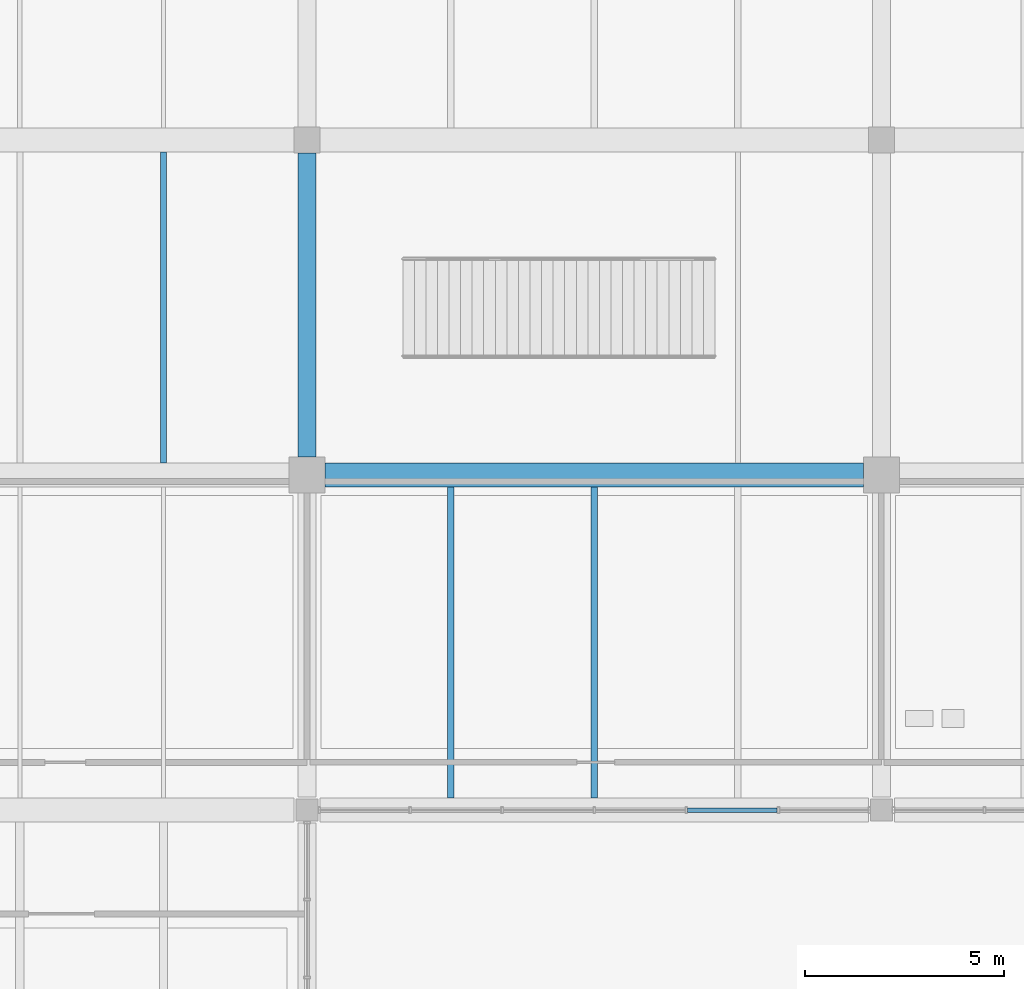
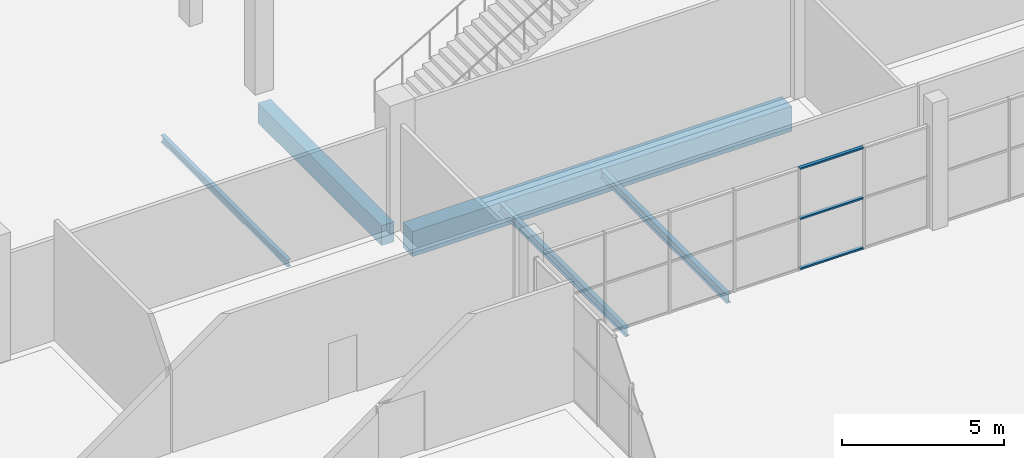
# One storey, part 24 of 130: 5 beams, 3 members, 1 element without a shape of its own.
"""IFC4 building model written with IfcOpenShell, lengths in metres."""

import ifcopenshell
import ifcopenshell.guid

model = None  # the IFC model being written
_history = None  # IfcOwnerHistory: only IFC2X3 demands one
_inside = {}  # id of a spatial element -> (the spatial element, [elements in it])
_under = {}  # id of a project, library or spatial element -> (it, [spatial elements below it])
_declared = {}  # id of a project -> (the project, [libraries it declares])
_typed = {}  # id of a type object -> (the type object, [elements of that type])
_made_of = {}  # id of a material, layer set ... -> (it, [elements and type objects made of it])


def new_model(schema):
    """Start an empty IFC model of exactly this schema.

    Asked for "IFC4X3", IfcOpenShell would pick the latest addendum, in which some entities
    have other attributes; the version numbers below select the first issue.
    IFC2X3 requires an IfcOwnerHistory on every rooted entity: one is made here for all.
    """
    global model, _history
    if schema == "IFC4X3":
        model = ifcopenshell.file(schema_version=(4, 3, 0, 0))
    else:
        model = ifcopenshell.file(schema=schema)
    _inside.clear()
    _under.clear()
    _declared.clear()
    _typed.clear()
    _made_of.clear()
    _history = None
    if model.schema == "IFC2X3":
        org = make("IfcOrganization", Name="unknown")
        user = make(
            "IfcPersonAndOrganization",
            ThePerson=make("IfcPerson", FamilyName="unknown"),
            TheOrganization=org,
        )
        app = make(
            "IfcApplication",
            ApplicationDeveloper=org,
            Version="unknown",
            ApplicationFullName="unknown",
            ApplicationIdentifier="unknown",
        )
        _history = make(
            "IfcOwnerHistory",
            OwningUser=user,
            OwningApplication=app,
            ChangeAction="ADDED",
            CreationDate=0,
        )
    return model


def make(cls, **values):
    """One entity of the class cls with the attributes given. An attribute that is None is left unset."""
    return model.create_entity(
        cls, **{name: value for name, value in values.items() if value is not None}
    )


def rooted(cls, **values):
    """An entity with a GlobalId (a new one), such as an element, a storey or a relation."""
    return make(cls, GlobalId=ifcopenshell.guid.new(), OwnerHistory=_history, **values)


def si_unit(unit_type, name, prefix=None):
    """IfcSIUnit, for example si_unit("LENGTHUNIT", "METRE", prefix="MILLI")."""
    return make("IfcSIUnit", UnitType=unit_type, Prefix=prefix, Name=name)


def assignment(units):
    """IfcUnitAssignment: the units of a project."""
    return None if units is None else make("IfcUnitAssignment", Units=units)


def point(xyz):
    """IfcCartesianPoint."""
    return None if xyz is None else make("IfcCartesianPoint", Coordinates=xyz)


def direction(xyz):
    """IfcDirection."""
    return None if xyz is None else make("IfcDirection", DirectionRatios=xyz)


def frame(location, z_axis=None, x_axis=None):
    """IfcAxis2Placement3D, a coordinate frame: its origin and axes. An axis left out is left unset."""
    return make(
        "IfcAxis2Placement3D",
        Location=point(location),
        Axis=direction(z_axis),
        RefDirection=direction(x_axis),
    )


def frame_2d(location, x_axis=None):
    """IfcAxis2Placement2D, a coordinate frame in the plane: its origin and x axis."""
    return make(
        "IfcAxis2Placement2D", Location=point(location), RefDirection=direction(x_axis)
    )


def origin():
    """The frame at (0, 0, 0) with its axes left unset."""
    return frame((0.0, 0.0, 0.0))


def origin_2d():
    """The frame at (0, 0) in the plane with its x axis left unset."""
    return frame_2d((0.0, 0.0))


def place(relative_to, where):
    """IfcLocalPlacement: puts the frame where relative to a parent placement (None: the world)."""
    return make(
        "IfcLocalPlacement", PlacementRelTo=relative_to, RelativePlacement=where
    )


def context(
    kind, dimensions, precision=None, world=None, true_north=None, identifier=None
):
    """IfcGeometricRepresentationContext, for example the 3D "Model" context."""
    return make(
        "IfcGeometricRepresentationContext",
        ContextIdentifier=identifier,
        ContextType=kind,
        CoordinateSpaceDimension=dimensions,
        Precision=precision,
        WorldCoordinateSystem=world,
        TrueNorth=true_north,
    )


def subcontext(parent, identifier, kind, view, scale=None):
    """IfcGeometricRepresentationSubContext, for example "Body" below "Model"."""
    return make(
        "IfcGeometricRepresentationSubContext",
        ContextIdentifier=identifier,
        ContextType=kind,
        ParentContext=parent,
        TargetScale=scale,
        TargetView=view,
    )


def project(units=None, contexts=None):
    """IfcProject with its units and contexts."""
    return rooted(
        "IfcProject",
        Name="project",
        RepresentationContexts=contexts,
        UnitsInContext=assignment(units),
    )


def spatial(cls, under=None, at=None, **own):
    """A site, building, storey or space (cls), placed at a placement, below another one or the project."""
    s = rooted(cls, ObjectPlacement=at, **own)
    if under is not None:
        _under.setdefault(under.id(), (under, []))[1].append(s)
    return s


def profile(cls, at=None, kind="AREA", **sizes):
    """A parametric profile (cls). Its sizes go by their IFC names, for example OverallWidth=200.0."""
    return make(cls, ProfileType=kind, Position=at, **sizes)


def rectangle(**sizes):
    """IfcRectangleProfileDef."""
    return profile("IfcRectangleProfileDef", **sizes)


def hollow_rectangle(**sizes):
    """IfcRectangleHollowProfileDef."""
    return profile("IfcRectangleHollowProfileDef", **sizes)


def i_section(**sizes):
    """IfcIShapeProfileDef."""
    return profile("IfcIShapeProfileDef", **sizes)


def extrude(swept, where, along, depth):
    """IfcExtrudedAreaSolid: the profile swept, set in the frame where, extruded along a direction by depth."""
    return make(
        "IfcExtrudedAreaSolid",
        SweptArea=swept,
        Position=where,
        ExtrudedDirection=direction(along),
        Depth=depth,
    )


def shape(context_of_items, identifier, shape_type, items):
    """IfcShapeRepresentation: the items that make up one representation, for example the "Body"."""
    return make(
        "IfcShapeRepresentation",
        ContextOfItems=context_of_items,
        RepresentationIdentifier=identifier,
        RepresentationType=shape_type,
        Items=items,
    )


def material(Name=None, Category=None):
    """IfcMaterial."""
    return make("IfcMaterial", Name=Name, Category=Category)


def material_profile(
    of_material, cross_section, Name=None, Category=None, Priority=None
):
    """IfcMaterialProfile: a cross section and its material."""
    return make(
        "IfcMaterialProfile",
        Name=Name,
        Material=of_material,
        Profile=cross_section,
        Priority=Priority,
        Category=Category,
    )


def profile_set(profiles, Name=None, composite=None):
    """IfcMaterialProfileSet."""
    return make(
        "IfcMaterialProfileSet",
        Name=Name,
        MaterialProfiles=profiles,
        CompositeProfile=composite,
    )


def made_of(thing, what):
    """Note that an element or type object is made of a material, layer set ...; save() writes the relation."""
    if what is not None:
        _made_of.setdefault(what.id(), (what, []))[1].append(thing)
    return thing


def type_object(cls, material=None, **own):
    """A type object (cls), such as IfcWallType, which elements share."""
    return made_of(rooted(cls, **own), material)


def element(
    cls,
    number,
    at=None,
    inside=None,
    cuts=None,
    type_object=None,
    material=None,
    context=None,
    identifier="Body",
    shape_type=None,
    held_by="IfcProductDefinitionShape",
    body=None,
    shapes=None,
    **own,
):
    """One element of the class cls, such as IfcWall. Its Tag is "e" and its number.

    at: its placement. inside: the storey or other place that contains it. cuts: it is an
    opening in that element (IfcRelVoidsElement). A single representation is given by context,
    identifier, shape_type and body (its items); several are given by shapes. held_by: the class
    of the entity that holds the representations. save() writes the other relations.
    """
    e = rooted(cls, Tag="e%d" % number, ObjectPlacement=at, **own)
    if body is not None:
        shapes = [shape(context, identifier, shape_type, body)]
    if shapes is not None:
        e.Representation = make(held_by, Representations=shapes)
    if inside is not None:
        _inside.setdefault(inside.id(), (inside, []))[1].append(e)
    if cuts is not None:
        rooted(
            "IfcRelVoidsElement", RelatingBuildingElement=cuts, RelatedOpeningElement=e
        )
    if type_object is not None:
        _typed.setdefault(type_object.id(), (type_object, []))[1].append(e)
    return made_of(e, material)


def aggregate(whole, parts):
    """IfcRelAggregates: a whole, such as a stair, and the parts it consists of."""
    return rooted("IfcRelAggregates", RelatingObject=whole, RelatedObjects=parts)


def save(model, path):
    """Write the relations noted so far, then the file.

    IfcRelAggregates (storeys below a building ...), IfcRelContainedInSpatialStructure (elements
    in a storey), IfcRelDefinesByType, IfcRelAssociatesMaterial and IfcRelDeclares: one each for
    every whole, place, type object, material and project.
    """
    for whole, parts in _under.values():
        aggregate(whole, parts)
    for where, things in _inside.values():
        rooted(
            "IfcRelContainedInSpatialStructure",
            RelatedElements=things,
            RelatingStructure=where,
        )
    for kind, things in _typed.values():
        rooted("IfcRelDefinesByType", RelatedObjects=things, RelatingType=kind)
    for what, things in _made_of.values():
        rooted("IfcRelAssociatesMaterial", RelatedObjects=things, RelatingMaterial=what)
    for by, libraries in _declared.values():
        rooted("IfcRelDeclares", RelatingContext=by, RelatedDefinitions=libraries)
    model.write(path)


model = new_model("IFC4")

# Units and contexts
model_context = context("Model", 3, precision=1e-05, world=origin(), true_north=direction((0.0, 1.0)))
body_context = subcontext(model_context, "Body", "Model", "MODEL_VIEW")
ifc_project = project(units=[si_unit("LENGTHUNIT", "METRE"), si_unit("AREAUNIT", "SQUARE_METRE"), si_unit("VOLUMEUNIT", "CUBIC_METRE"), si_unit("PLANEANGLEUNIT", "RADIAN"), si_unit("MASSUNIT", "GRAM", prefix="KILO"), si_unit("THERMODYNAMICTEMPERATUREUNIT", "KELVIN")], contexts=[model_context])

# Site, building, storey
site_placement = place(None, origin())
site = spatial("IfcSite", under=ifc_project, at=site_placement, CompositionType="ELEMENT")
building_placement = place(site_placement, origin())
building = spatial("IfcBuilding", under=site, at=building_placement, Name="Nduvali Passage Aquatics Centre", CompositionType="ELEMENT")
storey_placement = place(building_placement, origin())
storey = spatial("IfcBuildingStorey", under=building, at=storey_placement, Name="L00", CompositionType="ELEMENT", Elevation=0.0)

# Curtain wall, members
ifc_material_1 = material(Name="Aluminium EN AW-6063 T6", Category="aluminium")
curtain_wall_type = type_object("IfcCurtainWallType", Name="ENV-CW-COUR", PredefinedType="NOTDEFINED", material=ifc_material_1)
curtain_wall_placement = place(storey_placement, origin())
curtain_wall = element("IfcCurtainWall", 1, at=curtain_wall_placement, inside=storey, type_object=curtain_wall_type, Name="L00 Monsoon Courtyard Cloister CW 163", PredefinedType="NOTDEFINED")
ifc_material_profile_1 = material_profile(ifc_material_1, hollow_rectangle(XDim=0.1201171875, YDim=0.06005859375, WallThickness=0.00390625, at=origin_2d()), Name="ALU TRANSOM 120x60x4")
ifc_profile_set_1 = profile_set([ifc_material_profile_1], Name="Aluminium EN AW-6063 T6")
member_type = type_object("IfcMemberType", Name="ENV-MEM-TRN60", PredefinedType="USERDEFINED", material=ifc_profile_set_1)
member_1_placement = place(storey_placement, frame((77.938232421875, 16.800048828125, 0.030029296875), z_axis=(1.0, 0.0, 0.0), x_axis=(0.0, 1.0, 0.0)))
member_1 = element("IfcMember", 2, at=member_1_placement, type_object=member_type, Name="Monsoon Courtyard Cloister CW Transom B5-R0", ObjectType="TRANSOM", PredefinedType="USERDEFINED", context=body_context, shape_type="SweptSolid", body=[
    extrude(hollow_rectangle(XDim=0.1201171875, YDim=0.06005859375, WallThickness=0.00390625, at=origin_2d()), origin(), (0.0, 0.0, 1.0), 2.24853515625),
])
member_2_placement = place(storey_placement, frame((77.938232421875, 16.800048828125, 1.916259765625), z_axis=(1.0, 0.0, 0.0), x_axis=(0.0, 1.0, 0.0)))
member_2 = element("IfcMember", 3, at=member_2_placement, type_object=member_type, Name="Monsoon Courtyard Cloister CW Transom B5-R1", ObjectType="TRANSOM", PredefinedType="USERDEFINED", context=body_context, shape_type="SweptSolid", body=[
    extrude(hollow_rectangle(XDim=0.1201171875, YDim=0.06005859375, WallThickness=0.00390625, at=origin_2d()), origin(), (0.0, 0.0, 1.0), 2.24853515625),
])
member_3_placement = place(storey_placement, frame((77.938232421875, 16.800048828125, 3.802490234375), z_axis=(1.0, 0.0, 0.0), x_axis=(0.0, 1.0, 0.0)))
member_3 = element("IfcMember", 4, at=member_3_placement, type_object=member_type, Name="Monsoon Courtyard Cloister CW Transom B5-R2", ObjectType="TRANSOM", PredefinedType="USERDEFINED", context=body_context, shape_type="SweptSolid", body=[
    extrude(hollow_rectangle(XDim=0.1201171875, YDim=0.06005859375, WallThickness=0.00390625, at=origin_2d()), origin(), (0.0, 0.0, 1.0), 2.24853515625),
])
aggregate(curtain_wall, [member_1, member_2, member_3])

# Beams
ifc_material_2 = material(Name="Concrete C40/50", Category="concrete")
ifc_material_profile_2 = material_profile(ifc_material_2, rectangle(XDim=0.449951171875, YDim=0.75, at=origin_2d()), Name="RC 450x750")
ifc_profile_set_2 = profile_set([ifc_material_profile_2], Name="Concrete C40/50")
beam_type_1 = type_object("IfcBeamType", Name="STR-BM-RC4575", PredefinedType="BEAM", material=ifc_profile_set_2)
beam_1_placement = place(storey_placement, frame((68.39990234375, 25.64990234375, -0.695068359375), z_axis=(0.0, 1.0, 0.0), x_axis=(-1.0, 0.0, 0.0)))
element("IfcBeam", 5, at=beam_1_placement, inside=storey, type_object=beam_type_1, Name="L00 Primary Y-Girder B3-0154", PredefinedType="BEAM", context=body_context, shape_type="SweptSolid", body=[
    extrude(rectangle(XDim=0.449951171875, YDim=0.75, at=origin_2d()), origin(), (0.0, 0.0, 1.0), 7.625),
])
ifc_material_profile_3 = material_profile(ifc_material_2, rectangle(XDim=0.60009765625, YDim=0.949951171875, at=origin_2d()), Name="RC 600x950")
ifc_profile_set_3 = profile_set([ifc_material_profile_3], Name="Concrete C40/50")
beam_type_2 = type_object("IfcBeamType", Name="STR-BM-RC6095-EXT", PredefinedType="BEAM", material=ifc_profile_set_3)
beam_2_placement = place(storey_placement, frame((68.85009765625, 25.199951171875, -0.794921875), z_axis=(1.0, 0.0, 0.0), x_axis=(0.0, 1.0, 0.0)))
element("IfcBeam", 6, at=beam_2_placement, inside=storey, type_object=beam_type_2, Name="L00 Primary X-Girder B1E-0018", PredefinedType="BEAM", context=body_context, shape_type="SweptSolid", body=[
    extrude(rectangle(XDim=0.60009765625, YDim=0.949951171875, at=origin_2d()), origin(), (0.0, 0.0, 1.0), 13.5),
])
ifc_material_3 = material(Name="Steel S355", Category="steel")
ifc_material_profile_4 = material_profile(ifc_material_3, i_section(OverallWidth=0.159912109375, OverallDepth=0.330078125, WebThickness=0.007568359375, FlangeThickness=0.011474609375, FilletRadius=0.01806640625, at=origin_2d()), Name="IPE 330")
ifc_profile_set_4 = profile_set([ifc_material_profile_4], Name="Steel S355")
beam_type_3 = type_object("IfcBeamType", Name="STR-JST-IPE330", PredefinedType="JOIST", material=ifc_profile_set_4)
for number, where, z_axis, x_axis, name in (
    (7, (72.0, 17.10009765625, -0.468994140625), (0.0, 1.0, 0.0), (-1.0, 0.0, 0.0), "L00 Secondary Joist J6A-0279"),
    (8, (75.60009765625, 17.10009765625, -0.468994140625), (0.0, 1.0, 0.0), (-1.0, 0.0, 0.0), "L00 Secondary Joist J6A-0280"),
):
    element("IfcBeam", number, at=place(storey_placement, frame(where, z_axis=z_axis, x_axis=x_axis)), inside=storey, type_object=beam_type_3, Name=name, PredefinedType="JOIST", context=body_context, shape_type="SweptSolid", body=[
        extrude(i_section(OverallWidth=0.159912109375, OverallDepth=0.330078125, WebThickness=0.007568359375, FlangeThickness=0.011474609375, FilletRadius=0.01806640625, at=origin_2d()), origin(), (0.0, 0.0, 1.0), 7.7998046875),
    ])
ifc_material_profile_5 = material_profile(ifc_material_3, i_section(OverallWidth=0.146484375, OverallDepth=0.256103515625, WebThickness=0.00634765625, FlangeThickness=0.010986328125, FilletRadius=0.007568359375, at=origin_2d()), Name="UKB 254x146x37")
ifc_profile_set_5 = profile_set([ifc_material_profile_5], Name="Steel S355")
beam_type_4 = type_object("IfcBeamType", Name="STR-JST-UKB254", PredefinedType="JOIST", material=ifc_profile_set_5)
beam_3_placement = place(storey_placement, frame((64.800048828125, 25.5, -0.451904296875), z_axis=(0.0, 1.0, 0.0), x_axis=(-1.0, 0.0, 0.0)))
element("IfcBeam", 9, at=beam_3_placement, inside=storey, type_object=beam_type_4, Name="L00 Secondary Joist J4-0294", PredefinedType="JOIST", context=body_context, shape_type="SweptSolid", body=[
    extrude(i_section(OverallWidth=0.146484375, OverallDepth=0.256103515625, WebThickness=0.00634765625, FlangeThickness=0.010986328125, FilletRadius=0.007568359375, at=origin_2d()), origin(), (0.0, 0.0, 1.0), 7.800048828125),
])

save(model, "model.ifc")
